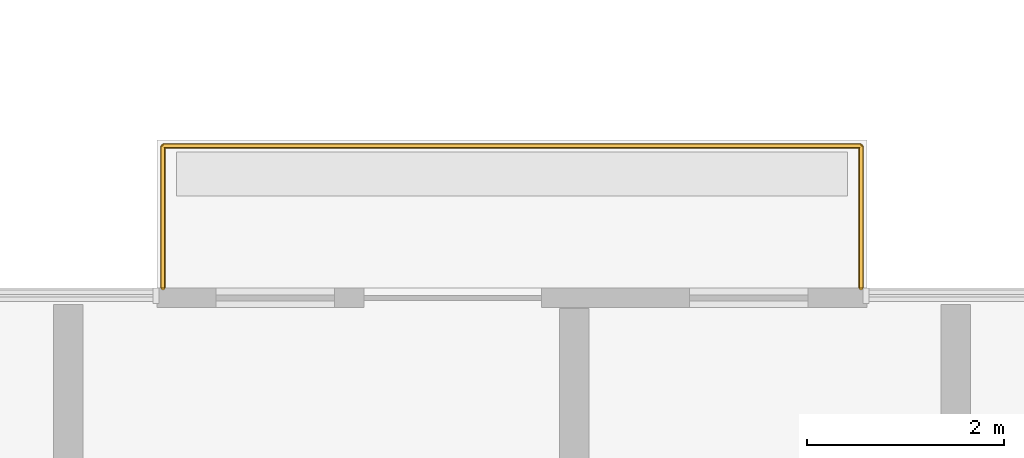
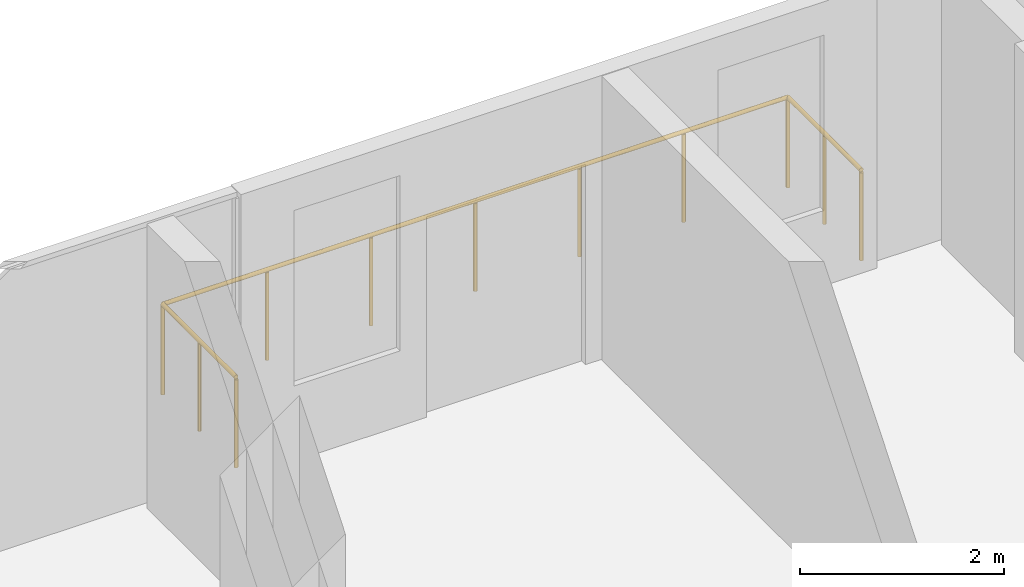
# One storey, part 18 of 18: 1 railing.
"""IFC4 building model written with IfcOpenShell, lengths in metres."""

from ifc_helpers import new_model, si_unit, direction, frame, origin, origin_2d, place, context, subcontext, project, spatial, circle, extrude, material, type_object, element, save


model = new_model("IFC4")

# Units and contexts
model_context = context("Model", 3, precision=1e-05, world=origin(), true_north=direction((0.0, 1.0)))
body_context = subcontext(model_context, "Body", "Model", "MODEL_VIEW")
ifc_project = project(units=[si_unit("LENGTHUNIT", "METRE"), si_unit("AREAUNIT", "SQUARE_METRE"), si_unit("VOLUMEUNIT", "CUBIC_METRE"), si_unit("PLANEANGLEUNIT", "RADIAN"), si_unit("MASSUNIT", "GRAM", prefix="KILO")], contexts=[model_context])

# Site, building, storey
site_placement = place(None, origin())
site = spatial("IfcSite", under=ifc_project, at=site_placement, CompositionType="ELEMENT")
building_placement = place(site_placement, origin())
building = spatial("IfcBuilding", under=site, at=building_placement, Name="Ogive Portal Towers", CompositionType="ELEMENT")
storey_placement = place(building_placement, frame((0.0, 0.0, 236.5)))
storey = spatial("IfcBuildingStorey", under=building, at=storey_placement, Name="L59", CompositionType="ELEMENT", Elevation=236.5)

# Railing
ifc_material = material(Name="Steel S355", Category="steel")
railing_type = type_object("IfcRailingType", Name="BALUSTRADE GLASS 1100", PredefinedType="BALUSTRADE", material=ifc_material)
railing_placement = place(storey_placement, frame((68.4599609375, 42.074951171875, 0.0)))
element("IfcRailing", 1, at=railing_placement, inside=storey, type_object=railing_type, Name="A:L59:bal:T2:rail", PredefinedType="BALUSTRADE", context=body_context, shape_type="SweptSolid", body=[
    extrude(circle(Radius=0.02392578125, at=origin_2d()), frame((0.0, 0.0, 1.076171875), z_axis=(0.0, 1.0, 0.0), x_axis=(-1.0, 0.0, 0.0)), (0.0, 0.0, 1.0), 1.43994140625),
    extrude(circle(Radius=0.02392578125, at=origin_2d()), frame((0.0, 1.43994140625, 1.076171875), z_axis=(1.0, 0.0, 0.0), x_axis=(0.0, 1.0, 0.0)), (0.0, 0.0, 1.0), 7.080078125),
    extrude(circle(Radius=0.02392578125, at=origin_2d()), frame((7.080078125, 1.43994140625, 1.076171875), z_axis=(0.0, -1.0, 0.0), x_axis=(1.0, 0.0, 0.0)), (0.0, 0.0, 1.0), 1.43994140625),
    extrude(circle(Radius=0.02099609375, at=origin_2d()), origin(), (0.0, 0.0, 1.0), 1.052001953125),
    extrude(circle(Radius=0.02099609375, at=origin_2d()), frame((0.0, 0.719970703125, 0.0)), (0.0, 0.0, 1.0), 1.052001953125),
    extrude(circle(Radius=0.02099609375, at=origin_2d()), frame((0.0, 1.43994140625, 0.0)), (0.0, 0.0, 1.0), 1.052001953125),
    extrude(circle(Radius=0.02099609375, at=origin_2d()), frame((1.179931640625, 1.43994140625, 0.0)), (0.0, 0.0, 1.0), 1.052001953125),
    extrude(circle(Radius=0.02099609375, at=origin_2d()), frame((2.360107421875, 1.43994140625, 0.0)), (0.0, 0.0, 1.0), 1.052001953125),
    extrude(circle(Radius=0.02099609375, at=origin_2d()), frame((3.5400390625, 1.43994140625, 0.0)), (0.0, 0.0, 1.0), 1.052001953125),
    extrude(circle(Radius=0.02099609375, at=origin_2d()), frame((4.719970703125, 1.43994140625, 0.0)), (0.0, 0.0, 1.0), 1.052001953125),
    extrude(circle(Radius=0.02099609375, at=origin_2d()), frame((5.900146484375, 1.43994140625, 0.0)), (0.0, 0.0, 1.0), 1.052001953125),
    extrude(circle(Radius=0.02099609375, at=origin_2d()), frame((7.080078125, 1.43994140625, 0.0)), (0.0, 0.0, 1.0), 1.052001953125),
    extrude(circle(Radius=0.02099609375, at=origin_2d()), frame((7.080078125, 0.719970703125, 0.0)), (0.0, 0.0, 1.0), 1.052001953125),
    extrude(circle(Radius=0.02099609375, at=origin_2d()), frame((7.080078125, 0.0, 0.0)), (0.0, 0.0, 1.0), 1.052001953125),
])

save(model, "model.ifc")
